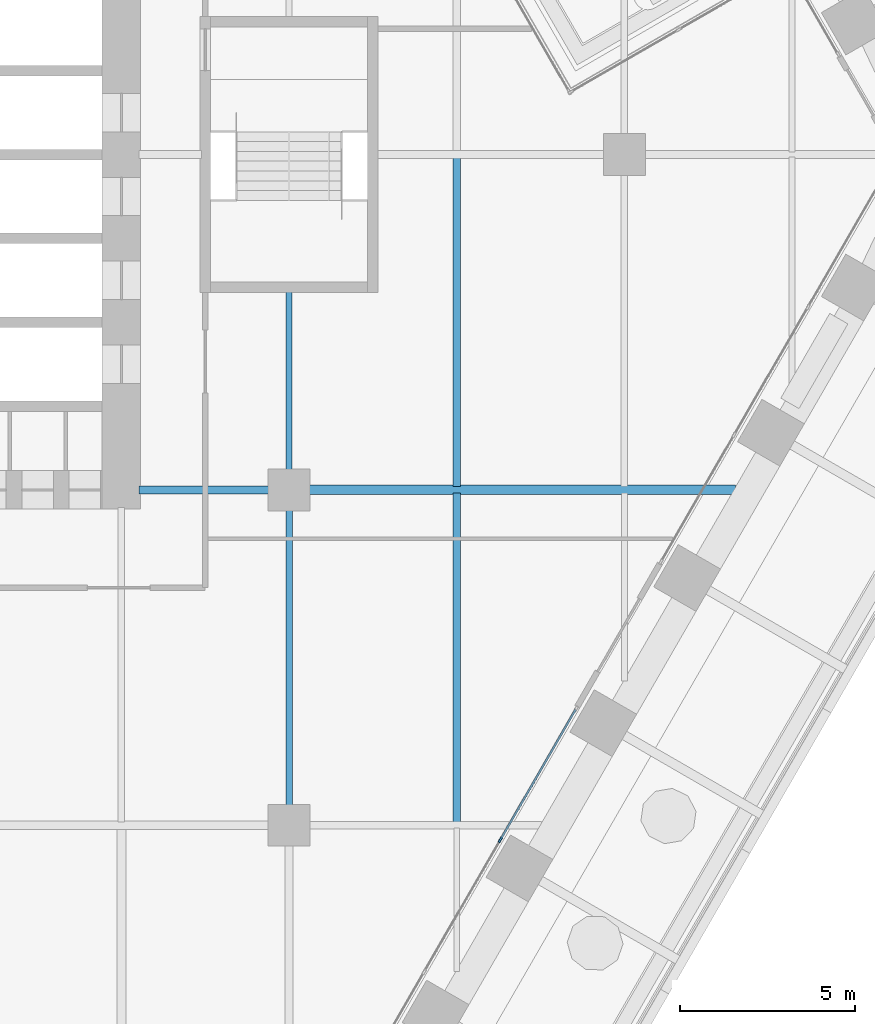
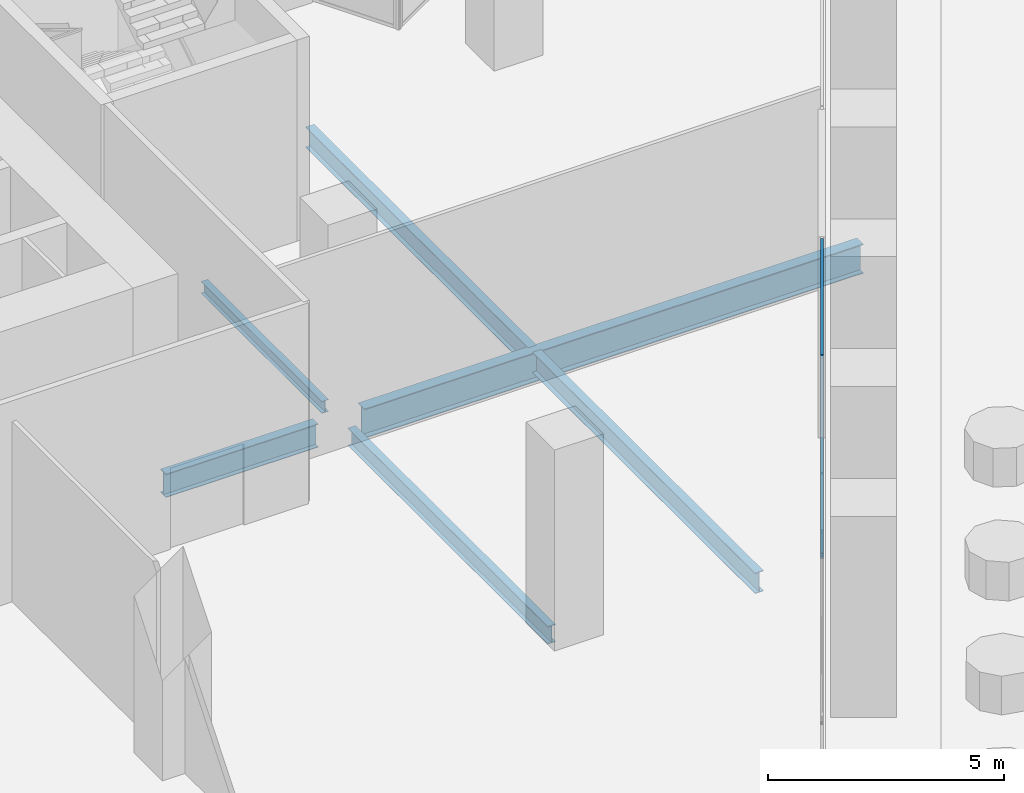
# One storey, part 7 of 32: 6 beams, 3 members, 1 element without a shape of its own.
"""IFC4 building model written with IfcOpenShell, lengths in metres."""

from ifc_helpers import new_model, si_unit, direction, frame, origin, origin_2d, place, context, subcontext, project, spatial, rectangle, i_section, extrude, material, material_profile, profile_set, type_object, element, aggregate, save


model = new_model("IFC4")

# Units and contexts
model_context = context("Model", 3, precision=1e-05, world=origin(), true_north=direction((0.0, 1.0)))
body_context = subcontext(model_context, "Body", "Model", "MODEL_VIEW")
ifc_project = project(units=[si_unit("LENGTHUNIT", "METRE"), si_unit("AREAUNIT", "SQUARE_METRE"), si_unit("VOLUMEUNIT", "CUBIC_METRE"), si_unit("PLANEANGLEUNIT", "RADIAN"), si_unit("MASSUNIT", "GRAM", prefix="KILO")], contexts=[model_context])

# Site, building, storey
site_placement = place(None, origin())
site = spatial("IfcSite", under=ifc_project, at=site_placement, CompositionType="ELEMENT")
building_placement = place(site_placement, origin())
building = spatial("IfcBuilding", under=site, at=building_placement, Name="Kolab Exchange Tower", CompositionType="ELEMENT")
storey_placement = place(building_placement, frame((0.0, 0.0, 60.89990234375)))
storey = spatial("IfcBuildingStorey", under=building, at=storey_placement, Name="L11", CompositionType="ELEMENT", Elevation=60.89990234375)

# Beams
ifc_material_1 = material(Name="Steel S355", Category="steel")
ifc_material_profile_1 = material_profile(ifc_material_1, i_section(OverallWidth=0.1650390625, OverallDepth=0.31005859375, WebThickness=0.005859375, FlangeThickness=0.009765625, at=origin_2d()), Name="W310X39")
ifc_profile_set_1 = profile_set([ifc_material_profile_1], Name="Steel S355")
beam_type_1 = type_object("IfcBeamType", Name="FLOOR BEAM W310X39", PredefinedType="BEAM", material=ifc_profile_set_1)
beam_1_placement = place(storey_placement, frame((19.199951171875, -9.0400390625, -0.40478515625), z_axis=(0.0, 1.0, 0.0), x_axis=(-1.0, 0.0, 0.0)))
element("IfcBeam", 1, at=beam_1_placement, inside=storey, type_object=beam_type_1, Name="beam/L11/fr/048", PredefinedType="BEAM", context=body_context, shape_type="SweptSolid", body=[
    extrude(i_section(OverallWidth=0.1650390625, OverallDepth=0.31005859375, WebThickness=0.005859375, FlangeThickness=0.009765625, at=origin_2d()), origin(), (0.0, 0.0, 1.0), 5.130126953125),
])
ifc_material_profile_2 = material_profile(ifc_material_1, i_section(OverallWidth=0.18994140625, OverallDepth=0.45703125, WebThickness=0.009033203125, FlangeThickness=0.014404296875, at=origin_2d()), Name="W460X74")
ifc_profile_set_2 = profile_set([ifc_material_profile_2], Name="Steel S355")
beam_type_2 = type_object("IfcBeamType", Name="FLOOR BEAM W460X74", PredefinedType="BEAM", material=ifc_profile_set_2)
beam_2_placement = place(storey_placement, frame((19.199951171875, -18.639892578125, -0.478515625), z_axis=(0.0, 1.0, 0.0), x_axis=(-1.0, 0.0, 0.0)))
element("IfcBeam", 2, at=beam_2_placement, inside=storey, type_object=beam_type_2, Name="beam/L11/fr/047", PredefinedType="BEAM", context=body_context, shape_type="SweptSolid", body=[
    extrude(i_section(OverallWidth=0.18994140625, OverallDepth=0.45703125, WebThickness=0.009033203125, FlangeThickness=0.014404296875, at=origin_2d()), origin(), (0.0, 0.0, 1.0), 8.47998046875),
])
ifc_material_profile_3 = material_profile(ifc_material_1, i_section(OverallWidth=0.208984375, OverallDepth=0.532958984375, WebThickness=0.01025390625, FlangeThickness=0.015625, at=origin_2d()), Name="W530X92")
ifc_profile_set_3 = profile_set([ifc_material_profile_3], Name="Steel S355")
beam_type_3 = type_object("IfcBeamType", Name="FLOOR BEAM W530X92", PredefinedType="BEAM", material=ifc_profile_set_3)
beam_3_placement = place(storey_placement, frame((24.0, -19.1259765625, -0.516357421875), z_axis=(0.0, 1.0, 0.0), x_axis=(-1.0, 0.0, 0.0)))
element("IfcBeam", 3, at=beam_3_placement, inside=storey, type_object=beam_type_3, Name="beam/L11/fr/053", PredefinedType="BEAM", context=body_context, shape_type="SweptSolid", body=[
    extrude(i_section(OverallWidth=0.208984375, OverallDepth=0.532958984375, WebThickness=0.01025390625, FlangeThickness=0.015625, at=origin_2d()), origin(), (0.0, 0.0, 1.0), 9.432373046875),
])
beam_4_placement = place(storey_placement, frame((24.0, -9.506591796875, -0.516357421875), z_axis=(0.0, 1.0, 0.0), x_axis=(-1.0, 0.0, 0.0)))
element("IfcBeam", 4, at=beam_4_placement, inside=storey, type_object=beam_type_3, Name="beam/L11/fr/054", PredefinedType="BEAM", context=body_context, shape_type="SweptSolid", body=[
    extrude(i_section(OverallWidth=0.208984375, OverallDepth=0.532958984375, WebThickness=0.01025390625, FlangeThickness=0.015625, at=origin_2d()), origin(), (0.0, 0.0, 1.0), 9.4326171875),
])
ifc_material_profile_4 = material_profile(ifc_material_1, i_section(OverallWidth=0.22802734375, OverallDepth=0.60791015625, WebThickness=0.01123046875, FlangeThickness=0.017333984375, at=origin_2d()), Name="W610X113")
ifc_profile_set_4 = profile_set([ifc_material_profile_4], Name="Steel S355")
beam_type_4 = type_object("IfcBeamType", Name="FLOOR GIRDER W610X113", PredefinedType="BEAM", material=ifc_profile_set_4)
beam_5_placement = place(storey_placement, frame((14.909912109375, -9.60009765625, -0.553955078125), z_axis=(1.0, 0.0, 0.0), x_axis=(0.0, 1.0, 0.0)))
element("IfcBeam", 5, at=beam_5_placement, inside=storey, type_object=beam_type_4, Name="beam/L11/gd/017", PredefinedType="BEAM", context=body_context, shape_type="SweptSolid", body=[
    extrude(i_section(OverallWidth=0.22802734375, OverallDepth=0.60791015625, WebThickness=0.01123046875, FlangeThickness=0.017333984375, at=origin_2d()), origin(), (0.0, 0.0, 1.0), 3.72998046875),
])
ifc_material_profile_5 = material_profile(ifc_material_1, i_section(OverallWidth=0.26708984375, OverallDepth=0.761962890625, WebThickness=0.014404296875, FlangeThickness=0.021484375, at=origin_2d()), Name="W760X173")
ifc_profile_set_5 = profile_set([ifc_material_profile_5], Name="Steel S355")
beam_type_5 = type_object("IfcBeamType", Name="FLOOR GIRDER W760X173", PredefinedType="BEAM", material=ifc_profile_set_5)
beam_6_placement = place(storey_placement, frame((19.760009765625, -9.60009765625, -0.630859375), z_axis=(1.0, 0.0, 0.0), x_axis=(0.0, 1.0, 0.0)))
element("IfcBeam", 6, at=beam_6_placement, inside=storey, type_object=beam_type_5, Name="beam/L11/gd/021", PredefinedType="BEAM", context=body_context, shape_type="SweptSolid", body=[
    extrude(i_section(OverallWidth=0.26708984375, OverallDepth=0.761962890625, WebThickness=0.014404296875, FlangeThickness=0.021484375, at=origin_2d()), origin(), (0.0, 0.0, 1.0), 12.213623046875),
])

# Curtain wall, members
ifc_material_2 = material(Name="Aluminium EN AW-6063 T6", Category="aluminium")
curtain_wall_type = type_object("IfcCurtainWallType", Name="UNITISED LOW ZONE CURTAIN WALL", PredefinedType="NOTDEFINED", material=ifc_material_2)
curtain_wall_placement = place(storey_placement, origin())
curtain_wall = element("IfcCurtainWall", 7, at=curtain_wall_placement, inside=storey, type_object=curtain_wall_type, Name="cw/L11/F3-2", PredefinedType="NOTDEFINED")
ifc_material_profile_6 = material_profile(ifc_material_2, rectangle(XDim=0.06005859375, YDim=0.159912109375, at=origin_2d()), Name="RECT 60X160")
ifc_profile_set_6 = profile_set([ifc_material_profile_6], Name="Aluminium EN AW-6063 T6")
member_type_1 = type_object("IfcMemberType", Name="UNITISED LOW ZONE MULLION 60 X 160", PredefinedType="MULLION", material=ifc_profile_set_6)
member_1_placement = place(storey_placement, frame((25.248291015625, -19.61962890625, 0.0), z_axis=(0.0, 0.0, 1.0), x_axis=(0.866025397318, -0.5000000112, 0.0)))
member_1 = element("IfcMember", 8, at=member_1_placement, type_object=member_type_1, Name="CW1 mullion 2", PredefinedType="MULLION", context=body_context, shape_type="SweptSolid", body=[
    extrude(rectangle(XDim=0.06005859375, YDim=0.159912109375, at=origin_2d()), origin(), (0.0, 0.0, 1.0), 5.2001953125),
])
ifc_material_profile_7 = material_profile(ifc_material_2, rectangle(XDim=0.06005859375, YDim=0.10009765625, at=origin_2d()), Name="RECT 60X100")
ifc_profile_set_7 = profile_set([ifc_material_profile_7], Name="Aluminium EN AW-6063 T6")
member_type_2 = type_object("IfcMemberType", Name="UNITISED LOW ZONE TRANSOM 60 X 100", PredefinedType="USERDEFINED", material=ifc_profile_set_7)
member_2_placement = place(storey_placement, frame((27.401611328125, -15.8896484375, 0.030029296875), z_axis=(-0.499976099074, -0.866039202551, 0.0), x_axis=(0.866039202551, -0.499976099074, 0.0)))
member_2 = element("IfcMember", 9, at=member_2_placement, type_object=member_type_2, Name="CW1 transom 1.1", ObjectType="TRANSOM", PredefinedType="USERDEFINED", context=body_context, shape_type="SweptSolid", body=[
    extrude(rectangle(XDim=0.06005859375, YDim=0.10009765625, at=origin_2d()), origin(), (0.0, 0.0, 1.0), 4.277099609375),
])
member_3_placement = place(storey_placement, frame((27.401611328125, -15.8896484375, 5.170166015625), z_axis=(-0.499976099074, -0.866039202551, 0.0), x_axis=(0.866039202551, -0.499976099074, 0.0)))
member_3 = element("IfcMember", 10, at=member_3_placement, type_object=member_type_2, Name="CW1 transom 1.2", ObjectType="TRANSOM", PredefinedType="USERDEFINED", context=body_context, shape_type="SweptSolid", body=[
    extrude(rectangle(XDim=0.06005859375, YDim=0.10009765625, at=origin_2d()), origin(), (0.0, 0.0, 1.0), 4.277099609375),
])
aggregate(curtain_wall, [member_1, member_2, member_3])

save(model, "model.ifc")
